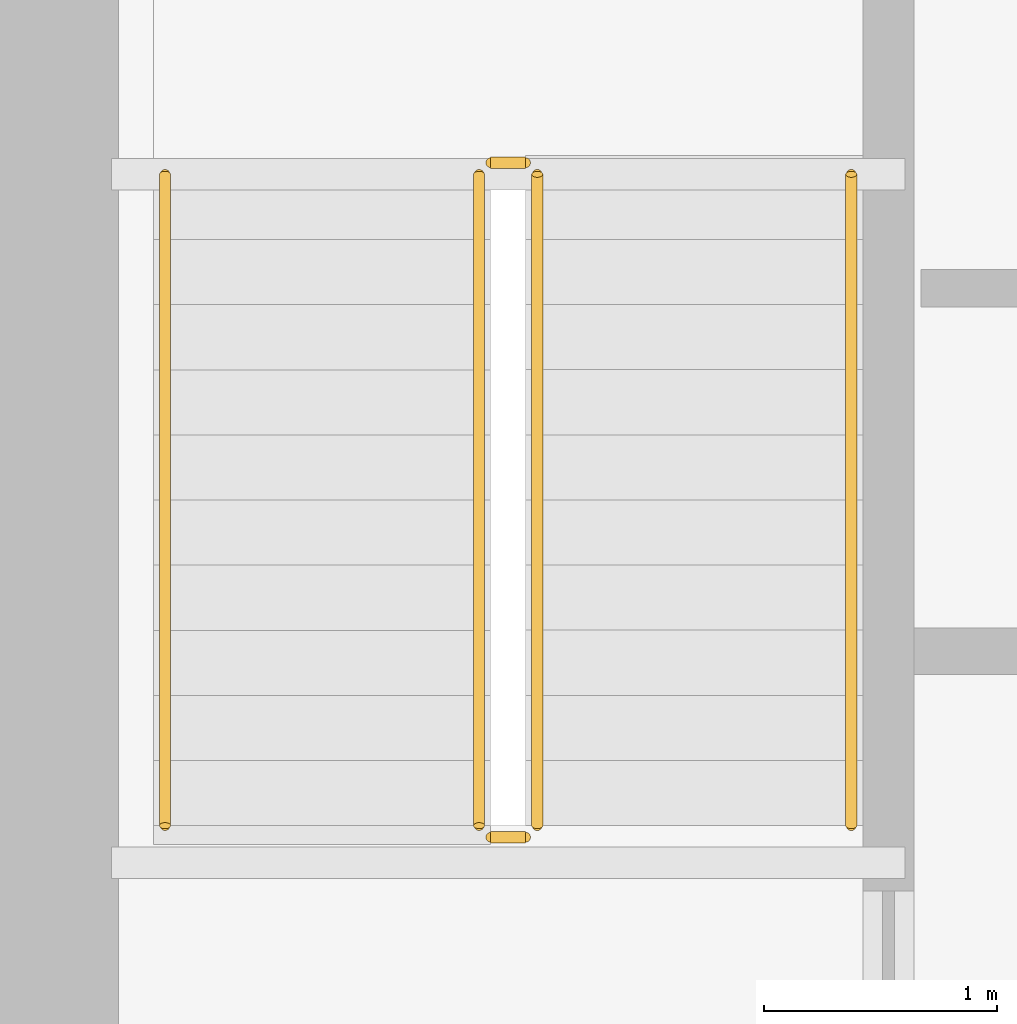
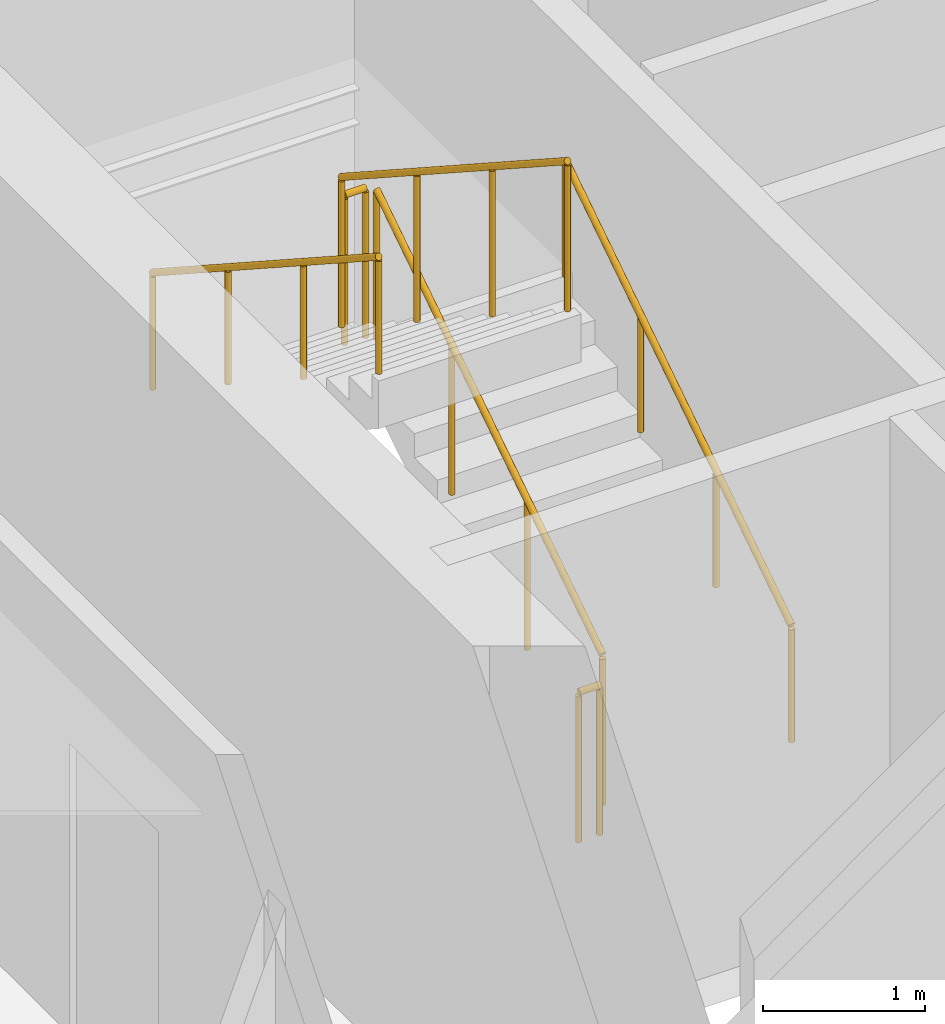
# One storey, part 11 of 14: 6 railings.
"""IFC4 building model written with IfcOpenShell, lengths in metres."""

from ifc_helpers import new_model, si_unit, direction, frame, origin, origin_2d, place, context, subcontext, project, spatial, circle, extrude, material, type_object, element, save


model = new_model("IFC4")

# Units and contexts
model_context = context("Model", 3, precision=1e-05, world=origin(), true_north=direction((0.0, 1.0)))
body_context = subcontext(model_context, "Body", "Model", "MODEL_VIEW")
ifc_project = project(units=[si_unit("LENGTHUNIT", "METRE"), si_unit("AREAUNIT", "SQUARE_METRE"), si_unit("VOLUMEUNIT", "CUBIC_METRE"), si_unit("PLANEANGLEUNIT", "RADIAN"), si_unit("MASSUNIT", "GRAM", prefix="KILO")], contexts=[model_context])

# Site, building, storey
site_placement = place(None, origin())
site = spatial("IfcSite", under=ifc_project, at=site_placement, CompositionType="ELEMENT")
building_placement = place(site_placement, origin())
building = spatial("IfcBuilding", under=site, at=building_placement, Name="Kranzbogen Civic Tower", CompositionType="ELEMENT")
storey_placement = place(building_placement, frame((0.0, 0.0, 158.39990234375)))
storey = spatial("IfcBuildingStorey", under=building, at=storey_placement, Name="L38", CompositionType="ELEMENT", Elevation=158.39990234375)

# Railings
ifc_material_1 = material(Name="Steel S355", Category="steel")
railing_type_1 = type_object("IfcRailingType", Name="Internal Stair and Void Steel Guardrail 1150", PredefinedType="GUARDRAIL", material=ifc_material_1)
railing_1_placement = place(storey_placement, frame((19.300048828125, 22.60009765625, 0.181884765625)))
element("IfcRailing", 1, at=railing_1_placement, inside=storey, type_object=railing_type_1, Name="L38 ST-T1 stair guard 1", PredefinedType="GUARDRAIL", context=body_context, shape_type="SweptSolid", body=[
    extrude(circle(Radius=0.02392578125, at=origin_2d()), frame((0.0, 0.0, 1.1259765625), z_axis=(0.0, 0.83868413941, 0.544618136222), x_axis=(-1.0, 0.0, 0.0)), (0.0, 0.0, 1.0), 3.33837890625),
    extrude(circle(Radius=0.02099609375, at=origin_2d()), origin(), (0.0, 0.0, 1.0), 1.101806640625),
    extrude(circle(Radius=0.02099609375, at=origin_2d()), frame((0.0, 0.933349609375, 0.60595703125)), (0.0, 0.0, 1.0), 1.101806640625),
    extrude(circle(Radius=0.02099609375, at=origin_2d()), frame((0.0, 1.866455078125, 1.212158203125)), (0.0, 0.0, 1.0), 1.101806640625),
    extrude(circle(Radius=0.02099609375, at=origin_2d()), frame((0.0, 2.7998046875, 1.818115234375)), (0.0, 0.0, 1.0), 1.101806640625),
])
railing_2_placement = place(storey_placement, frame((19.25, 25.449951171875, 2.0)))
element("IfcRailing", 2, at=railing_2_placement, inside=storey, type_object=railing_type_1, Name="L38 ST-T1 stair guard 2", PredefinedType="GUARDRAIL", context=body_context, shape_type="SweptSolid", body=[
    extrude(circle(Radius=0.02392578125, at=origin_2d()), frame((0.0, 0.0, 1.1259765625), z_axis=(-1.0, 0.0, 0.0), x_axis=(0.0, -1.0, 0.0)), (0.0, 0.0, 1.0), 0.14990234375),
    extrude(circle(Radius=0.02099609375, at=origin_2d()), origin(), (0.0, 0.0, 1.0), 1.101806640625),
    extrude(circle(Radius=0.02099609375, at=origin_2d()), frame((-0.14990234375, 0.0, 0.0)), (0.0, 0.0, 1.0), 1.101806640625),
])
railing_3_placement = place(storey_placement, frame((19.050048828125, 25.39990234375, 2.181884765625)))
element("IfcRailing", 3, at=railing_3_placement, inside=storey, type_object=railing_type_1, Name="L38 ST-T1 stair guard 3", PredefinedType="GUARDRAIL", context=body_context, shape_type="SweptSolid", body=[
    extrude(circle(Radius=0.02392578125, at=origin_2d()), frame((0.0, 0.0, 1.1259765625), z_axis=(0.0, -0.83868413941, 0.544618136222), x_axis=(1.0, 0.0, 0.0)), (0.0, 0.0, 1.0), 3.33837890625),
    extrude(circle(Radius=0.02099609375, at=origin_2d()), origin(), (0.0, 0.0, 1.0), 1.101806640625),
    extrude(circle(Radius=0.02099609375, at=origin_2d()), frame((0.0, -0.933349609375, 0.60595703125)), (0.0, 0.0, 1.0), 1.101806640625),
    extrude(circle(Radius=0.02099609375, at=origin_2d()), frame((0.0, -1.866455078125, 1.212158203125)), (0.0, 0.0, 1.0), 1.101806640625),
    extrude(circle(Radius=0.02099609375, at=origin_2d()), frame((0.0, -2.7998046875, 1.818115234375)), (0.0, 0.0, 1.0), 1.101806640625),
])
railing_4_placement = place(storey_placement, frame((19.25, 22.550048828125, 0.0)))
element("IfcRailing", 4, at=railing_4_placement, inside=storey, type_object=railing_type_1, Name="L38 ST-T1 stair guard 4", PredefinedType="GUARDRAIL", context=body_context, shape_type="SweptSolid", body=[
    extrude(circle(Radius=0.02392578125, at=origin_2d()), frame((0.0, 0.0, 1.1259765625), z_axis=(-1.0, 0.0, 0.0), x_axis=(0.0, -1.0, 0.0)), (0.0, 0.0, 1.0), 0.14990234375),
    extrude(circle(Radius=0.02099609375, at=origin_2d()), origin(), (0.0, 0.0, 1.0), 1.101806640625),
    extrude(circle(Radius=0.02099609375, at=origin_2d()), frame((-0.14990234375, 0.0, 0.0)), (0.0, 0.0, 1.0), 1.101806640625),
])
ifc_material_2 = material(Name="Pale Anodised Aluminium", Category="aluminium")
railing_type_2 = type_object("IfcRailingType", Name="Tubular Stainless Stair Wall Handrail 900", PredefinedType="HANDRAIL", material=ifc_material_2)
railing_5_placement = place(storey_placement, frame((20.64990234375, 22.60009765625, 0.181884765625)))
element("IfcRailing", 5, at=railing_5_placement, inside=storey, type_object=railing_type_2, Name="L38 ST-T1 stair handrail 1", PredefinedType="HANDRAIL", context=body_context, shape_type="SweptSolid", body=[
    extrude(circle(Radius=0.02392578125, at=origin_2d()), frame((0.0, 0.0, 0.8759765625), z_axis=(0.0, 0.83868413941, 0.544618136222), x_axis=(-1.0, 0.0, 0.0)), (0.0, 0.0, 1.0), 3.33837890625),
    extrude(circle(Radius=0.02099609375, at=origin_2d()), origin(), (0.0, 0.0, 1.0), 0.851806640625),
    extrude(circle(Radius=0.02099609375, at=origin_2d()), frame((0.0, 0.933349609375, 0.60595703125)), (0.0, 0.0, 1.0), 0.851806640625),
    extrude(circle(Radius=0.02099609375, at=origin_2d()), frame((0.0, 1.866455078125, 1.212158203125)), (0.0, 0.0, 1.0), 0.851806640625),
    extrude(circle(Radius=0.02099609375, at=origin_2d()), frame((0.0, 2.7998046875, 1.818115234375)), (0.0, 0.0, 1.0), 0.851806640625),
])
railing_6_placement = place(storey_placement, frame((17.699951171875, 25.39990234375, 2.181884765625)))
element("IfcRailing", 6, at=railing_6_placement, inside=storey, type_object=railing_type_2, Name="L38 ST-T1 stair handrail 2", PredefinedType="HANDRAIL", context=body_context, shape_type="SweptSolid", body=[
    extrude(circle(Radius=0.02392578125, at=origin_2d()), frame((0.0, 0.0, 0.8759765625), z_axis=(0.0, -0.83868413941, 0.544618136222), x_axis=(1.0, 0.0, 0.0)), (0.0, 0.0, 1.0), 3.33837890625),
    extrude(circle(Radius=0.02099609375, at=origin_2d()), origin(), (0.0, 0.0, 1.0), 0.851806640625),
    extrude(circle(Radius=0.02099609375, at=origin_2d()), frame((0.0, -0.933349609375, 0.60595703125)), (0.0, 0.0, 1.0), 0.851806640625),
    extrude(circle(Radius=0.02099609375, at=origin_2d()), frame((0.0, -1.866455078125, 1.212158203125)), (0.0, 0.0, 1.0), 0.851806640625),
    extrude(circle(Radius=0.02099609375, at=origin_2d()), frame((0.0, -2.7998046875, 1.818115234375)), (0.0, 0.0, 1.0), 0.851806640625),
])

save(model, "model.ifc")
